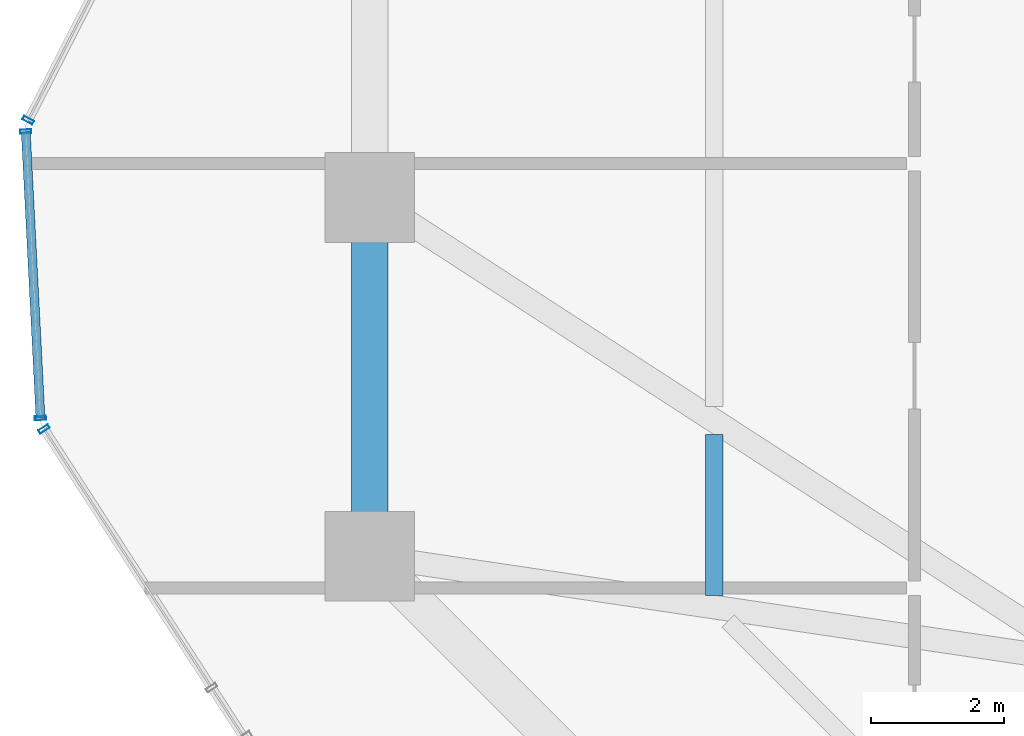
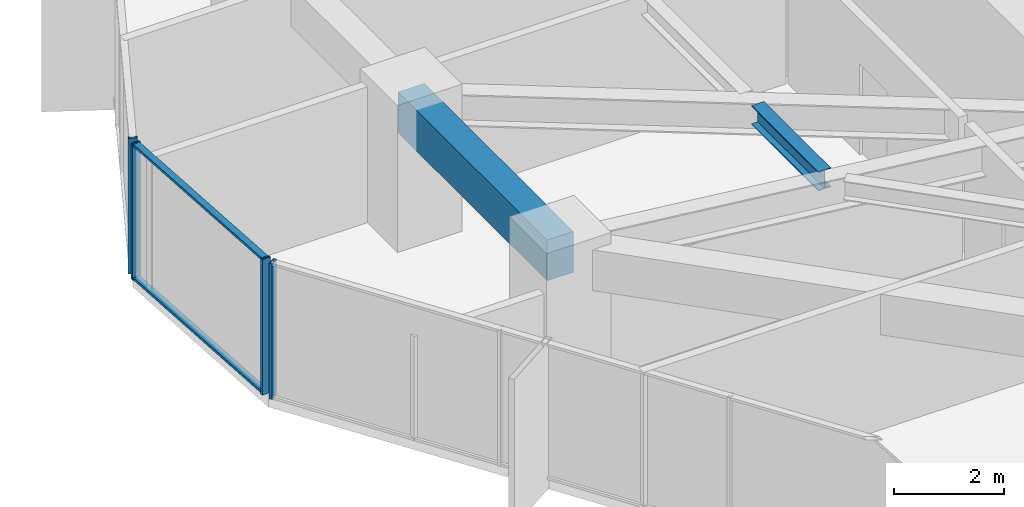
# One storey, part 10 of 37: 6 members, 2 beams, 3 elements without a shape of their own.
"""IFC4 building model written with IfcOpenShell, lengths in metres."""

from ifc_helpers import new_model, si_unit, direction, frame, origin, origin_2d, place, context, subcontext, project, spatial, rectangle, hollow_rectangle, i_section, extrude, source, transform, mapped, material, layer, layer_set, material_profile, profile_set, type_object, element, aggregate, save


model = new_model("IFC4")

# Units and contexts
model_context = context("Model", 3, precision=1e-05, world=origin(), true_north=direction((0.0, 1.0)))
body_context = subcontext(model_context, "Body", "Model", "MODEL_VIEW")
ifc_project = project(units=[si_unit("LENGTHUNIT", "METRE"), si_unit("AREAUNIT", "SQUARE_METRE"), si_unit("VOLUMEUNIT", "CUBIC_METRE"), si_unit("PLANEANGLEUNIT", "RADIAN"), si_unit("MASSUNIT", "GRAM", prefix="KILO")], contexts=[model_context])

# Site, building, storey
site_placement = place(None, origin())
site = spatial("IfcSite", under=ifc_project, at=site_placement, CompositionType="ELEMENT")
building_placement = place(site_placement, origin())
building = spatial("IfcBuilding", under=site, at=building_placement, Name="Veraguas Prism Commons", CompositionType="ELEMENT")
storey_placement = place(building_placement, frame((0.0, 0.0, 33.800048828125)))
storey = spatial("IfcBuildingStorey", under=building, at=storey_placement, Name="L08", CompositionType="ELEMENT", Elevation=33.800048828125)

# Beams
ifc_material_1 = material(Name="Steel ASTM A992 Grade 50", Category="steel")
ifc_material_profile_1 = material_profile(ifc_material_1, i_section(OverallWidth=0.260986328125, OverallDepth=0.419921875, WebThickness=0.01171875, FlangeThickness=0.019287109375, at=origin_2d()), Name="W410X114")
ifc_profile_set_1 = profile_set([ifc_material_profile_1], Name="Steel ASTM A992 Grade 50")
beam_type_1 = type_object("IfcBeamType", Name="Lower Floor Joist W410x114", PredefinedType="JOIST", material=ifc_profile_set_1)
beam_1_placement = place(storey_placement, frame((11.583984375, 20.430419921875, 2.7900390625), z_axis=(0.0, -1.0, 0.0), x_axis=(1.0, 0.0, 0.0)))
element("IfcBeam", 1, at=beam_1_placement, inside=storey, type_object=beam_type_1, Name="Composite Floor Joist L08-JS08", PredefinedType="JOIST", context=body_context, shape_type="SweptSolid", body=[
    extrude(i_section(OverallWidth=0.260986328125, OverallDepth=0.419921875, WebThickness=0.01171875, FlangeThickness=0.019287109375, at=origin_2d()), origin(), (0.0, 0.0, 1.0), 2.42041015625),
])
ifc_material_2 = material(Name="Concrete C50/60", Category="concrete")
ifc_material_profile_2 = material_profile(ifc_material_2, rectangle(XDim=0.550048828125, YDim=0.89990234375, at=origin_2d()), Name="RC550X900")
ifc_profile_set_2 = profile_set([ifc_material_profile_2], Name="Concrete C50/60")
beam_type_2 = type_object("IfcBeamType", Name="Perimeter Spandrel Lower RC 550x900", PredefinedType="SPANDREL", material=ifc_profile_set_2)
beam_2_placement = place(storey_placement, frame((6.39990234375, 24.0, 2.550048828125), z_axis=(0.0, -1.0, 0.0), x_axis=(1.0, 0.0, 0.0)))
element("IfcBeam", 2, at=beam_2_placement, inside=storey, type_object=beam_type_2, Name="Perimeter Spandrel Beam L08-SP08", PredefinedType="SPANDREL", context=body_context, shape_type="SweptSolid", body=[
    extrude(rectangle(XDim=0.550048828125, YDim=0.89990234375, at=origin_2d()), origin(), (0.0, 0.0, 1.0), 5.39990234375),
])

# Curtain wall, member
ifc_material_3 = material(Name="Anodised aluminium EN AW-6063 T6", Category="aluminium")
ifc_layer = layer(ifc_material_3, 0.169921875, Name="Unitised Flush Curtain Wall Zone 1", Category="aluminium")
ifc_layer_set = layer_set([ifc_layer], Name="Anodised aluminium EN AW-6063 T6")
curtain_wall_type = type_object("IfcCurtainWallType", Name="Unitised Flush Curtain Wall Zone 1", PredefinedType="NOTDEFINED", material=ifc_layer_set)
curtain_wall_1_placement = place(storey_placement, origin())
curtain_wall_1 = element("IfcCurtainWall", 3, at=curtain_wall_1_placement, inside=storey, type_object=curtain_wall_type, Name="Tower Facade Curtain Wall L08-F3", PredefinedType="NOTDEFINED")
ifc_material_profile_3 = material_profile(ifc_material_3, hollow_rectangle(XDim=0.06005859375, YDim=0.169921875, WallThickness=0.00390625, at=origin_2d()), Name="AL60X170X4")
ifc_profile_set_3 = profile_set([ifc_material_profile_3], Name="Anodised aluminium EN AW-6063 T6")
member_type_1 = type_object("IfcMemberType", Name="Curtain Wall Mullion Lower AL 60x170x4", PredefinedType="MULLION", material=ifc_profile_set_3)
shared_shape_1 = source(origin(), body_context, "Body", "SweptSolid", [
    extrude(hollow_rectangle(XDim=0.06005859375, YDim=0.169921875, WallThickness=0.00390625, at=origin_2d()), origin(), (0.0, 0.0, 1.0), 3.0),
])
member_1_placement = place(storey_placement, frame((1.25439453125, 25.162841796875, 0.0), z_axis=(0.0, 0.0, 1.0), x_axis=(-0.454921756221, -0.890531411976, 0.0)))
member_1 = element("IfcMember", 4, at=member_1_placement, type_object=member_type_1, Name="CW-Z1 Mullion 5", PredefinedType="MULLION", context=body_context, shape_type="MappedRepresentation", body=[
    mapped(shared_shape_1, transform((0.0, 0.0, 0.0), scale=1.0)),
])
aggregate(curtain_wall_1, [member_1])

curtain_wall_2_placement = place(storey_placement, origin())
curtain_wall_2 = element("IfcCurtainWall", 5, at=curtain_wall_2_placement, inside=storey, type_object=curtain_wall_type, Name="Tower Facade Curtain Wall L08-F4", PredefinedType="NOTDEFINED")
member_2_placement = place(storey_placement, frame((1.4931640625, 20.512939453125, 0.0), z_axis=(0.0, 0.0, 1.0), x_axis=(0.543766341769, -0.839236656468, 0.0)))
member_2 = element("IfcMember", 6, at=member_2_placement, type_object=member_type_1, Name="CW-Z1 Mullion 1", PredefinedType="MULLION", context=body_context, shape_type="MappedRepresentation", body=[
    mapped(shared_shape_1, transform((0.0, 0.0, 0.0), scale=1.0)),
])
aggregate(curtain_wall_2, [member_2])

# Curtain wall, members
curtain_wall_3_placement = place(storey_placement, origin())
curtain_wall_3 = element("IfcCurtainWall", 7, at=curtain_wall_3_placement, inside=storey, type_object=curtain_wall_type, Name="Chamfer Curtain Wall L08-C4", PredefinedType="NOTDEFINED")
member_3_placement = place(storey_placement, frame((1.218017578125, 24.992919921875, 0.0), z_axis=(0.0, 0.0, 1.0), x_axis=(0.051277964106, -0.998684419823, 0.0)))
member_3 = element("IfcMember", 8, at=member_3_placement, type_object=member_type_1, Name="CW-Z1 Mullion 1", PredefinedType="MULLION", context=body_context, shape_type="MappedRepresentation", body=[
    mapped(shared_shape_1, transform((0.0, 0.0, 0.0), scale=1.0)),
])
member_4_placement = place(storey_placement, frame((1.439697265625, 20.678466796875, 0.0), z_axis=(0.0, 0.0, 1.0), x_axis=(0.051277964106, -0.998684419823, 0.0)))
member_4 = element("IfcMember", 9, at=member_4_placement, type_object=member_type_1, Name="CW-Z1 Mullion 2", PredefinedType="MULLION", context=body_context, shape_type="MappedRepresentation", body=[
    mapped(shared_shape_1, transform((0.0, 0.0, 0.0), scale=1.0)),
])
ifc_material_profile_4 = material_profile(ifc_material_3, hollow_rectangle(XDim=0.054931640625, YDim=0.135009765625, WallThickness=0.0029296875, at=origin_2d()), Name="AL55X135X3")
ifc_profile_set_4 = profile_set([ifc_material_profile_4], Name="Anodised aluminium EN AW-6063 T6")
member_type_2 = type_object("IfcMemberType", Name="Curtain Wall Transom Standard AL 55x135x3", PredefinedType="USERDEFINED", material=ifc_profile_set_4)
shared_shape_2 = source(origin(), body_context, "Body", "SweptSolid", [
    extrude(hollow_rectangle(XDim=0.054931640625, YDim=0.135009765625, WallThickness=0.0029296875, at=origin_2d()), origin(), (0.0, 0.0, 1.0), 4.320068359375),
])
member_5_placement = place(storey_placement, frame((1.218017578125, 24.992919921875, 0.02734375), z_axis=(0.051313027271, -0.99868261887, 0.0), x_axis=(0.0, 0.0, 1.0)))
member_5 = element("IfcMember", 10, at=member_5_placement, type_object=member_type_2, Name="CW-Z1 Transom 1", ObjectType="TRANSOM", PredefinedType="USERDEFINED", context=body_context, shape_type="MappedRepresentation", body=[
    mapped(shared_shape_2, transform((0.0, 0.0, 0.0), scale=1.0)),
])
member_6_placement = place(storey_placement, frame((1.218017578125, 24.992919921875, 2.972412109375), z_axis=(0.051313027271, -0.99868261887, 0.0), x_axis=(0.0, 0.0, 1.0)))
member_6 = element("IfcMember", 11, at=member_6_placement, type_object=member_type_2, Name="CW-Z1 Transom 2", ObjectType="TRANSOM", PredefinedType="USERDEFINED", context=body_context, shape_type="MappedRepresentation", body=[
    mapped(shared_shape_2, transform((0.0, 0.0, 0.0), scale=1.0)),
])
aggregate(curtain_wall_3, [member_3, member_4, member_5, member_6])

save(model, "model.ifc")
